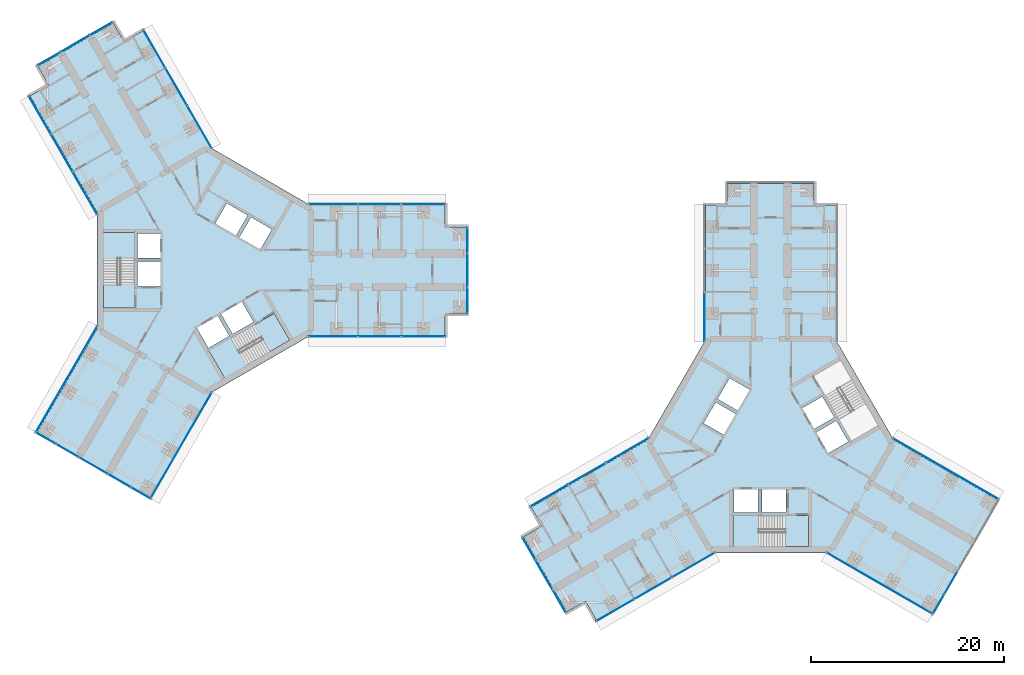
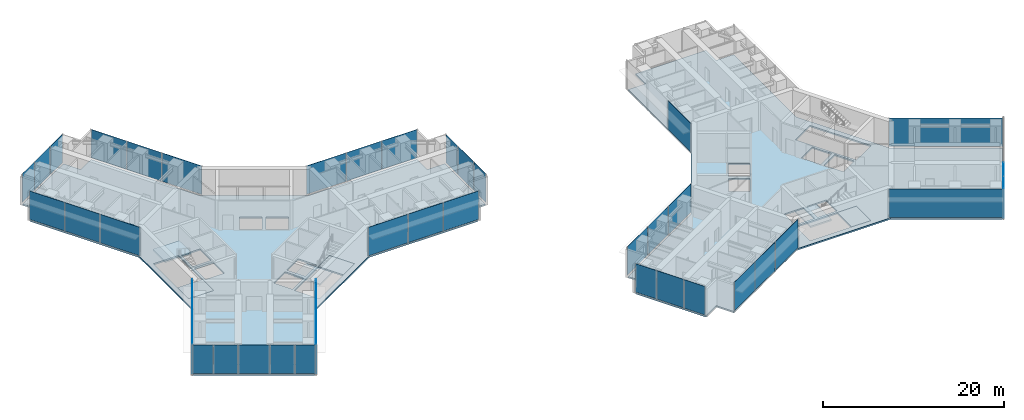
# One storey, part 13 of 22: 39 plates, 8 slabs, 19 elements without a shape of their own.
"""IFC4 building model written with IfcOpenShell, lengths in metres."""

from ifc_helpers import new_model, si_unit, direction, frame, origin, origin_2d, place, context, subcontext, project, spatial, polyline, rectangle, outline, extrude, material, layer, layer_set, type_object, element, aggregate, save


model = new_model("IFC4")

# Units and contexts
model_context = context("Model", 3, precision=1e-05, world=origin(), true_north=direction((0.0, 1.0)))
body_context = subcontext(model_context, "Body", "Model", "MODEL_VIEW")
ifc_project = project(units=[si_unit("LENGTHUNIT", "METRE"), si_unit("AREAUNIT", "SQUARE_METRE"), si_unit("VOLUMEUNIT", "CUBIC_METRE"), si_unit("PLANEANGLEUNIT", "RADIAN"), si_unit("MASSUNIT", "GRAM", prefix="KILO")], contexts=[model_context])

# Site, building, storey
site_placement = place(None, origin())
site = spatial("IfcSite", under=ifc_project, at=site_placement, CompositionType="ELEMENT")
building_placement = place(site_placement, origin())
building = spatial("IfcBuilding", under=site, at=building_placement, Name="Upepo Twin Towers", CompositionType="ELEMENT")
storey_placement = place(building_placement, frame((0.0, 0.0, 137.5)))
storey = spatial("IfcBuildingStorey", under=building, at=storey_placement, Name="L33", CompositionType="ELEMENT", Elevation=137.5)

# Curtain wall, plates
ifc_material_1 = material(Name="Aluminium and fritted glass", Category="aluminium")
curtain_wall_type = type_object("IfcCurtainWallType", Name="Tower curtain wall TW2, fritted glass", PredefinedType="NOTDEFINED", material=ifc_material_1)
curtain_wall_1_placement = place(storey_placement, origin())
curtain_wall_1 = element("IfcCurtainWall", 1, at=curtain_wall_1_placement, inside=storey, type_object=curtain_wall_type, Name="T1 L33 wing A flank L curtain wall", PredefinedType="NOTDEFINED")
ifc_material_2 = material(Name="Ceramic-fritted laminated glass", Category="glass")
ifc_layer_1 = layer(ifc_material_2, 0.031982421875)
ifc_layer_set_1 = layer_set([ifc_layer_1], Name="Fritted glass panel, 40 per cent dot frit, 32 mm double glazed")
plate_type_1 = type_object("IfcPlateType", Name="Fritted glass panel, 40 per cent dot frit, 32 mm double glazed", PredefinedType="CURTAIN_PANEL", material=ifc_layer_set_1)
plate_1_placement = place(storey_placement, frame((13.184814453125, 6.85009765625, 0.14990234375), z_axis=(0.0, 0.0, 1.0), x_axis=(1.0, 0.0, 0.0)))
plate_1 = element("IfcPlate", 2, at=plate_1_placement, type_object=plate_type_1, Name="T1 L33 wing A flank L curtain wall panel 1", PredefinedType="CURTAIN_PANEL", context=body_context, shape_type="SweptSolid", body=[
    extrude(rectangle(XDim=5.0654296875, YDim=0.031982421875, at=origin_2d()), origin(), (0.0, 0.0, 1.0), 3.85009765625),
])
plate_2_placement = place(storey_placement, frame((18.0, 6.85009765625, 0.14990234375), z_axis=(0.0, 0.0, 1.0), x_axis=(1.0, 0.0, 0.0)))
plate_2 = element("IfcPlate", 3, at=plate_2_placement, type_object=plate_type_1, Name="T1 L33 wing A flank L curtain wall panel 2", PredefinedType="CURTAIN_PANEL", context=body_context, shape_type="SweptSolid", body=[
    extrude(rectangle(XDim=4.43505859375, YDim=0.031982421875, at=origin_2d()), origin(), (0.0, 0.0, 1.0), 3.85009765625),
])
plate_3_placement = place(storey_placement, frame((22.53369140625, 6.85009765625, 0.14990234375), z_axis=(0.0, 0.0, 1.0), x_axis=(1.0, 0.0, 0.0)))
plate_3 = element("IfcPlate", 4, at=plate_3_placement, type_object=plate_type_1, Name="T1 L33 wing A flank L curtain wall panel 3", PredefinedType="CURTAIN_PANEL", context=body_context, shape_type="SweptSolid", body=[
    extrude(rectangle(XDim=4.50244140625, YDim=0.031982421875, at=origin_2d()), origin(), (0.0, 0.0, 1.0), 3.85009765625),
])
aggregate(curtain_wall_1, [plate_1, plate_2, plate_3])

curtain_wall_2_placement = place(storey_placement, origin())
curtain_wall_2 = element("IfcCurtainWall", 5, at=curtain_wall_2_placement, inside=storey, type_object=curtain_wall_type, Name="T1 L33 wing A flank R curtain wall", PredefinedType="NOTDEFINED")
plate_4_placement = place(storey_placement, frame((22.53369140625, -6.85009765625, 0.14990234375), z_axis=(0.0, 0.0, 1.0), x_axis=(-1.0, 0.0, 0.0)))
plate_4 = element("IfcPlate", 6, at=plate_4_placement, type_object=plate_type_1, Name="T1 L33 wing A flank R curtain wall panel 1", PredefinedType="CURTAIN_PANEL", context=body_context, shape_type="SweptSolid", body=[
    extrude(rectangle(XDim=4.50244140625, YDim=0.031982421875, at=origin_2d()), origin(), (0.0, 0.0, 1.0), 3.85009765625),
])
plate_5_placement = place(storey_placement, frame((18.0, -6.85009765625, 0.14990234375), z_axis=(0.0, 0.0, 1.0), x_axis=(-1.0, 0.0, 0.0)))
plate_5 = element("IfcPlate", 7, at=plate_5_placement, type_object=plate_type_1, Name="T1 L33 wing A flank R curtain wall panel 2", PredefinedType="CURTAIN_PANEL", context=body_context, shape_type="SweptSolid", body=[
    extrude(rectangle(XDim=4.43505859375, YDim=0.031982421875, at=origin_2d()), origin(), (0.0, 0.0, 1.0), 3.85009765625),
])
plate_6_placement = place(storey_placement, frame((13.184814453125, -6.85009765625, 0.14990234375), z_axis=(0.0, 0.0, 1.0), x_axis=(-1.0, 0.0, 0.0)))
plate_6 = element("IfcPlate", 8, at=plate_6_placement, type_object=plate_type_1, Name="T1 L33 wing A flank R curtain wall panel 3", PredefinedType="CURTAIN_PANEL", context=body_context, shape_type="SweptSolid", body=[
    extrude(rectangle(XDim=5.0654296875, YDim=0.031982421875, at=origin_2d()), origin(), (0.0, 0.0, 1.0), 3.85009765625),
])
aggregate(curtain_wall_2, [plate_4, plate_5, plate_6])

# Curtain wall, plate
curtain_wall_3_placement = place(storey_placement, origin())
curtain_wall_3 = element("IfcCurtainWall", 9, at=curtain_wall_3_placement, inside=storey, type_object=curtain_wall_type, Name="T1 L33 wing A nose curtain wall", PredefinedType="NOTDEFINED")
plate_7_placement = place(storey_placement, frame((27.10009765625, 0.0, 0.14990234375), z_axis=(0.0, 0.0, 1.0), x_axis=(0.0, 1.0, 0.0)))
plate_7 = element("IfcPlate", 10, at=plate_7_placement, type_object=plate_type_1, Name="T1 L33 wing A nose curtain wall panel 2", PredefinedType="CURTAIN_PANEL", context=body_context, shape_type="SweptSolid", body=[
    extrude(rectangle(XDim=3.43505859375, YDim=0.031982421875, at=origin_2d()), origin(), (0.0, 0.0, 1.0), 3.85009765625),
])

# Curtain wall, plates
curtain_wall_4_placement = place(storey_placement, origin())
curtain_wall_4 = element("IfcCurtainWall", 11, at=curtain_wall_4_placement, inside=storey, type_object=curtain_wall_type, Name="T1 L33 wing B flank L curtain wall", PredefinedType="NOTDEFINED")
plate_8_placement = place(storey_placement, frame((-12.524658203125, 7.993408203125, 0.14990234375), z_axis=(0.0, 0.0, 1.0), x_axis=(-0.500000010308, 0.866025397833, 0.0)))
plate_8 = element("IfcPlate", 12, at=plate_8_placement, type_object=plate_type_1, Name="T1 L33 wing B flank L curtain wall panel 1", PredefinedType="CURTAIN_PANEL", context=body_context, shape_type="SweptSolid", body=[
    extrude(rectangle(XDim=5.0654296875, YDim=0.031982421875, at=origin_2d()), origin(), (0.0, 0.0, 1.0), 3.85009765625),
])
plate_9_placement = place(storey_placement, frame((-14.932373046875, 12.16357421875, 0.14990234375), z_axis=(0.0, 0.0, 1.0), x_axis=(-0.500000010308, 0.866025397833, 0.0)))
plate_9 = element("IfcPlate", 13, at=plate_9_placement, type_object=plate_type_1, Name="T1 L33 wing B flank L curtain wall panel 2", PredefinedType="CURTAIN_PANEL", context=body_context, shape_type="SweptSolid", body=[
    extrude(rectangle(XDim=4.43505859375, YDim=0.031982421875, at=origin_2d()), origin(), (0.0, 0.0, 1.0), 3.85009765625),
])
plate_10_placement = place(storey_placement, frame((-17.19921875, 16.08984375, 0.14990234375), z_axis=(0.0, 0.0, 1.0), x_axis=(-0.500000010308, 0.866025397833, 0.0)))
plate_10 = element("IfcPlate", 14, at=plate_10_placement, type_object=plate_type_1, Name="T1 L33 wing B flank L curtain wall panel 3", PredefinedType="CURTAIN_PANEL", context=body_context, shape_type="SweptSolid", body=[
    extrude(rectangle(XDim=4.50244140625, YDim=0.031982421875, at=origin_2d()), origin(), (0.0, 0.0, 1.0), 3.85009765625),
])
aggregate(curtain_wall_4, [plate_8, plate_9, plate_10])

curtain_wall_5_placement = place(storey_placement, origin())
curtain_wall_5 = element("IfcCurtainWall", 15, at=curtain_wall_5_placement, inside=storey, type_object=curtain_wall_type, Name="T1 L33 wing B flank R curtain wall", PredefinedType="NOTDEFINED")
plate_11_placement = place(storey_placement, frame((-5.334716796875, 22.939697265625, 0.14990234375), z_axis=(0.0, 0.0, 1.0), x_axis=(0.500000010308, -0.866025397833, 0.0)))
plate_11 = element("IfcPlate", 16, at=plate_11_placement, type_object=plate_type_1, Name="T1 L33 wing B flank R curtain wall panel 1", PredefinedType="CURTAIN_PANEL", context=body_context, shape_type="SweptSolid", body=[
    extrude(rectangle(XDim=4.50244140625, YDim=0.031982421875, at=origin_2d()), origin(), (0.0, 0.0, 1.0), 3.85009765625),
])
plate_12_placement = place(storey_placement, frame((-3.067626953125, 19.013427734375, 0.14990234375), z_axis=(0.0, 0.0, 1.0), x_axis=(0.500000010308, -0.866025397833, 0.0)))
plate_12 = element("IfcPlate", 17, at=plate_12_placement, type_object=plate_type_1, Name="T1 L33 wing B flank R curtain wall panel 2", PredefinedType="CURTAIN_PANEL", context=body_context, shape_type="SweptSolid", body=[
    extrude(rectangle(XDim=4.43505859375, YDim=0.031982421875, at=origin_2d()), origin(), (0.0, 0.0, 1.0), 3.85009765625),
])
plate_13_placement = place(storey_placement, frame((-0.66015625, 14.84326171875, 0.14990234375), z_axis=(0.0, 0.0, 1.0), x_axis=(0.500000010308, -0.866025397833, 0.0)))
plate_13 = element("IfcPlate", 18, at=plate_13_placement, type_object=plate_type_1, Name="T1 L33 wing B flank R curtain wall panel 3", PredefinedType="CURTAIN_PANEL", context=body_context, shape_type="SweptSolid", body=[
    extrude(rectangle(XDim=5.0654296875, YDim=0.031982421875, at=origin_2d()), origin(), (0.0, 0.0, 1.0), 3.85009765625),
])
aggregate(curtain_wall_5, [plate_11, plate_12, plate_13])

# Curtain wall, plate
curtain_wall_6_placement = place(storey_placement, origin())
curtain_wall_6 = element("IfcCurtainWall", 19, at=curtain_wall_6_placement, inside=storey, type_object=curtain_wall_type, Name="T1 L33 wing B nose curtain wall", PredefinedType="NOTDEFINED")
plate_14_placement = place(storey_placement, frame((-13.550048828125, 23.46923828125, 0.14990234375), z_axis=(0.0, 0.0, 1.0), x_axis=(-0.866025386174, -0.500000030502, 0.0)))
plate_14 = element("IfcPlate", 20, at=plate_14_placement, type_object=plate_type_1, Name="T1 L33 wing B nose curtain wall panel 2", PredefinedType="CURTAIN_PANEL", context=body_context, shape_type="SweptSolid", body=[
    extrude(rectangle(XDim=3.43505859375, YDim=0.031982421875, at=origin_2d()), origin(), (0.0, 0.0, 1.0), 3.85009765625),
])

curtain_wall_7_placement = place(storey_placement, origin())
curtain_wall_7 = element("IfcCurtainWall", 21, at=curtain_wall_7_placement, inside=storey, type_object=curtain_wall_type, Name="T1 L33 wing C flank L curtain wall", PredefinedType="NOTDEFINED")
plate_15_placement = place(storey_placement, frame((-2.552001953125, -18.1201171875, 0.14990234375), z_axis=(0.0, 0.0, 1.0), x_axis=(-0.50000000792, -0.866025399212, 0.0)))
plate_15 = element("IfcPlate", 22, at=plate_15_placement, type_object=plate_type_1, Name="T1 L33 wing C flank L curtain wall panel 1", PredefinedType="CURTAIN_PANEL", context=body_context, shape_type="SweptSolid", body=[
    extrude(rectangle(XDim=12.6328125, YDim=0.031982421875, at=origin_2d()), origin(), (0.0, 0.0, 1.0), 3.85009765625),
])
aggregate(curtain_wall_7, [plate_15])

curtain_wall_8_placement = place(storey_placement, origin())
curtain_wall_8 = element("IfcCurtainWall", 23, at=curtain_wall_8_placement, inside=storey, type_object=curtain_wall_type, Name="T1 L33 wing C flank R curtain wall", PredefinedType="NOTDEFINED")
plate_16_placement = place(storey_placement, frame((-14.41650390625, -11.270263671875, 0.14990234375), z_axis=(0.0, 0.0, 1.0), x_axis=(0.50000000792, 0.866025399212, 0.0)))
plate_16 = element("IfcPlate", 24, at=plate_16_placement, type_object=plate_type_1, Name="T1 L33 wing C flank R curtain wall panel 1", PredefinedType="CURTAIN_PANEL", context=body_context, shape_type="SweptSolid", body=[
    extrude(rectangle(XDim=12.6328125, YDim=0.031982421875, at=origin_2d()), origin(), (0.0, 0.0, 1.0), 3.85009765625),
])
aggregate(curtain_wall_8, [plate_16])

# Curtain wall, plates
curtain_wall_9_placement = place(storey_placement, origin())
curtain_wall_9 = element("IfcCurtainWall", 25, at=curtain_wall_9_placement, inside=storey, type_object=curtain_wall_type, Name="T1 L33 wing C nose curtain wall", PredefinedType="NOTDEFINED")
plate_17_placement = place(storey_placement, frame((-14.38134765625, -18.6591796875, 0.14990234375), z_axis=(0.0, 0.0, 1.0), x_axis=(0.866025419745, -0.499999972355, 0.0)))
plate_17 = element("IfcPlate", 26, at=plate_17_placement, type_object=plate_type_1, Name="T1 L33 wing C nose curtain wall panel 2", PredefinedType="CURTAIN_PANEL", context=body_context, shape_type="SweptSolid", body=[
    extrude(rectangle(XDim=2.68505859375, YDim=0.031982421875, at=origin_2d()), origin(), (0.0, 0.0, 1.0), 3.85009765625),
])
plate_18_placement = place(storey_placement, frame((-11.675048828125, -20.2216796875, 0.14990234375), z_axis=(0.0, 0.0, 1.0), x_axis=(0.866025419745, -0.499999972355, 0.0)))
plate_18 = element("IfcPlate", 27, at=plate_18_placement, type_object=plate_type_1, Name="T1 L33 wing C nose curtain wall panel 3", PredefinedType="CURTAIN_PANEL", context=body_context, shape_type="SweptSolid", body=[
    extrude(rectangle(XDim=3.43505859375, YDim=0.031982421875, at=origin_2d()), origin(), (0.0, 0.0, 1.0), 3.85009765625),
])
plate_19_placement = place(storey_placement, frame((-8.96875, -21.7841796875, 0.14990234375), z_axis=(0.0, 0.0, 1.0), x_axis=(0.866025419745, -0.499999972355, 0.0)))
plate_19 = element("IfcPlate", 28, at=plate_19_placement, type_object=plate_type_1, Name="T1 L33 wing C nose curtain wall panel 4", PredefinedType="CURTAIN_PANEL", context=body_context, shape_type="SweptSolid", body=[
    extrude(rectangle(XDim=2.68505859375, YDim=0.031982421875, at=origin_2d()), origin(), (0.0, 0.0, 1.0), 3.85009765625),
])

# Curtain wall, plate
curtain_wall_10_placement = place(storey_placement, origin())
curtain_wall_10 = element("IfcCurtainWall", 29, at=curtain_wall_10_placement, inside=storey, type_object=curtain_wall_type, Name="T2 L33 wing A flank L curtain wall", PredefinedType="NOTDEFINED")
plate_20_placement = place(storey_placement, frame((51.64990234375, -4.815185546875, 0.14990234375), z_axis=(0.0, 0.0, 1.0), x_axis=(0.0, 1.0, 0.0)))
plate_20 = element("IfcPlate", 30, at=plate_20_placement, type_object=plate_type_1, Name="T2 L33 wing A flank L curtain wall panel 1", PredefinedType="CURTAIN_PANEL", context=body_context, shape_type="SweptSolid", body=[
    extrude(rectangle(XDim=5.0654296875, YDim=0.031982421875, at=origin_2d()), origin(), (0.0, 0.0, 1.0), 3.85009765625),
])
aggregate(curtain_wall_10, [plate_20])

# Curtain wall, plates
curtain_wall_11_placement = place(storey_placement, origin())
curtain_wall_11 = element("IfcCurtainWall", 31, at=curtain_wall_11_placement, inside=storey, type_object=curtain_wall_type, Name="T2 L33 wing B flank L curtain wall", PredefinedType="NOTDEFINED")
plate_21_placement = place(storey_placement, frame((50.506591796875, -30.524658203125, 0.14990234375), z_axis=(0.0, 0.0, 1.0), x_axis=(-0.866025397833, -0.500000010308, 0.0)))
plate_21 = element("IfcPlate", 32, at=plate_21_placement, type_object=plate_type_1, Name="T2 L33 wing B flank L curtain wall panel 1", PredefinedType="CURTAIN_PANEL", context=body_context, shape_type="SweptSolid", body=[
    extrude(rectangle(XDim=5.0654296875, YDim=0.031982421875, at=origin_2d()), origin(), (0.0, 0.0, 1.0), 3.85009765625),
])
plate_22_placement = place(storey_placement, frame((46.33642578125, -32.932373046875, 0.14990234375), z_axis=(0.0, 0.0, 1.0), x_axis=(-0.866025397833, -0.500000010308, 0.0)))
plate_22 = element("IfcPlate", 33, at=plate_22_placement, type_object=plate_type_1, Name="T2 L33 wing B flank L curtain wall panel 2", PredefinedType="CURTAIN_PANEL", context=body_context, shape_type="SweptSolid", body=[
    extrude(rectangle(XDim=4.43505859375, YDim=0.031982421875, at=origin_2d()), origin(), (0.0, 0.0, 1.0), 3.85009765625),
])
plate_23_placement = place(storey_placement, frame((42.41015625, -35.19921875, 0.14990234375), z_axis=(0.0, 0.0, 1.0), x_axis=(-0.866025397833, -0.500000010308, 0.0)))
plate_23 = element("IfcPlate", 34, at=plate_23_placement, type_object=plate_type_1, Name="T2 L33 wing B flank L curtain wall panel 3", PredefinedType="CURTAIN_PANEL", context=body_context, shape_type="SweptSolid", body=[
    extrude(rectangle(XDim=4.50244140625, YDim=0.031982421875, at=origin_2d()), origin(), (0.0, 0.0, 1.0), 3.85009765625),
])
aggregate(curtain_wall_11, [plate_21, plate_22, plate_23])

curtain_wall_12_placement = place(storey_placement, origin())
curtain_wall_12 = element("IfcCurtainWall", 35, at=curtain_wall_12_placement, inside=storey, type_object=curtain_wall_type, Name="T2 L33 wing B flank R curtain wall", PredefinedType="NOTDEFINED")
plate_24_placement = place(storey_placement, frame((35.560302734375, -23.334716796875, 0.14990234375), z_axis=(0.0, 0.0, 1.0), x_axis=(0.866025397833, 0.500000010308, 0.0)))
plate_24 = element("IfcPlate", 36, at=plate_24_placement, type_object=plate_type_1, Name="T2 L33 wing B flank R curtain wall panel 1", PredefinedType="CURTAIN_PANEL", context=body_context, shape_type="SweptSolid", body=[
    extrude(rectangle(XDim=4.50244140625, YDim=0.031982421875, at=origin_2d()), origin(), (0.0, 0.0, 1.0), 3.85009765625),
])
plate_25_placement = place(storey_placement, frame((39.486572265625, -21.067626953125, 0.14990234375), z_axis=(0.0, 0.0, 1.0), x_axis=(0.866025397833, 0.500000010308, 0.0)))
plate_25 = element("IfcPlate", 37, at=plate_25_placement, type_object=plate_type_1, Name="T2 L33 wing B flank R curtain wall panel 2", PredefinedType="CURTAIN_PANEL", context=body_context, shape_type="SweptSolid", body=[
    extrude(rectangle(XDim=4.43505859375, YDim=0.031982421875, at=origin_2d()), origin(), (0.0, 0.0, 1.0), 3.85009765625),
])
plate_26_placement = place(storey_placement, frame((43.65673828125, -18.66015625, 0.14990234375), z_axis=(0.0, 0.0, 1.0), x_axis=(0.866025397833, 0.500000010308, 0.0)))
plate_26 = element("IfcPlate", 38, at=plate_26_placement, type_object=plate_type_1, Name="T2 L33 wing B flank R curtain wall panel 3", PredefinedType="CURTAIN_PANEL", context=body_context, shape_type="SweptSolid", body=[
    extrude(rectangle(XDim=5.0654296875, YDim=0.031982421875, at=origin_2d()), origin(), (0.0, 0.0, 1.0), 3.85009765625),
])
aggregate(curtain_wall_12, [plate_24, plate_25, plate_26])

# Curtain wall, plate
curtain_wall_13_placement = place(storey_placement, origin())
curtain_wall_13 = element("IfcCurtainWall", 39, at=curtain_wall_13_placement, inside=storey, type_object=curtain_wall_type, Name="T2 L33 wing B nose curtain wall", PredefinedType="NOTDEFINED")
plate_27_placement = place(storey_placement, frame((35.03076171875, -31.550048828125, 0.14990234375), z_axis=(0.0, 0.0, 1.0), x_axis=(0.500000030502, -0.866025386174, 0.0)))
plate_27 = element("IfcPlate", 40, at=plate_27_placement, type_object=plate_type_1, Name="T2 L33 wing B nose curtain wall panel 2", PredefinedType="CURTAIN_PANEL", context=body_context, shape_type="SweptSolid", body=[
    extrude(rectangle(XDim=3.43505859375, YDim=0.031982421875, at=origin_2d()), origin(), (0.0, 0.0, 1.0), 3.85009765625),
])

curtain_wall_14_placement = place(storey_placement, origin())
curtain_wall_14 = element("IfcCurtainWall", 41, at=curtain_wall_14_placement, inside=storey, type_object=curtain_wall_type, Name="T2 L33 wing C flank L curtain wall", PredefinedType="NOTDEFINED")
plate_28_placement = place(storey_placement, frame((76.6201171875, -20.552001953125, 0.14990234375), z_axis=(0.0, 0.0, 1.0), x_axis=(0.866025399212, -0.50000000792, 0.0)))
plate_28 = element("IfcPlate", 42, at=plate_28_placement, type_object=plate_type_1, Name="T2 L33 wing C flank L curtain wall panel 1", PredefinedType="CURTAIN_PANEL", context=body_context, shape_type="SweptSolid", body=[
    extrude(rectangle(XDim=12.6328125, YDim=0.031982421875, at=origin_2d()), origin(), (0.0, 0.0, 1.0), 3.85009765625),
])
aggregate(curtain_wall_14, [plate_28])

curtain_wall_15_placement = place(storey_placement, origin())
curtain_wall_15 = element("IfcCurtainWall", 43, at=curtain_wall_15_placement, inside=storey, type_object=curtain_wall_type, Name="T2 L33 wing C flank R curtain wall", PredefinedType="NOTDEFINED")
plate_29_placement = place(storey_placement, frame((69.770263671875, -32.41650390625, 0.14990234375), z_axis=(0.0, 0.0, 1.0), x_axis=(-0.866025399212, 0.50000000792, 0.0)))
plate_29 = element("IfcPlate", 44, at=plate_29_placement, type_object=plate_type_1, Name="T2 L33 wing C flank R curtain wall panel 1", PredefinedType="CURTAIN_PANEL", context=body_context, shape_type="SweptSolid", body=[
    extrude(rectangle(XDim=12.6328125, YDim=0.031982421875, at=origin_2d()), origin(), (0.0, 0.0, 1.0), 3.85009765625),
])
aggregate(curtain_wall_15, [plate_29])

curtain_wall_16_placement = place(storey_placement, origin())
curtain_wall_16 = element("IfcCurtainWall", 45, at=curtain_wall_16_placement, inside=storey, type_object=curtain_wall_type, Name="T2 L33 wing C nose curtain wall", PredefinedType="NOTDEFINED")
plate_30_placement = place(storey_placement, frame((77.1591796875, -32.38134765625, 0.14990234375), z_axis=(0.0, 0.0, 1.0), x_axis=(0.499999972355, 0.866025419745, 0.0)))
plate_30 = element("IfcPlate", 46, at=plate_30_placement, type_object=plate_type_1, Name="T2 L33 wing C nose curtain wall panel 2", PredefinedType="CURTAIN_PANEL", context=body_context, shape_type="SweptSolid", body=[
    extrude(rectangle(XDim=2.68505859375, YDim=0.031982421875, at=origin_2d()), origin(), (0.0, 0.0, 1.0), 3.85009765625),
])

# Plate
ifc_material_3 = material(Name="Clear laminated glass in opening sash", Category="glass")
ifc_layer_2 = layer(ifc_material_3, 0.031982421875)
ifc_layer_set_2 = layer_set([ifc_layer_2], Name="Operable glass panel, 32 mm double glazed")
plate_type_2 = type_object("IfcPlateType", Name="Operable glass panel, 32 mm double glazed", PredefinedType="CURTAIN_PANEL", material=ifc_layer_set_2)
plate_31_placement = place(storey_placement, frame((27.10009765625, -3.108642578125, 0.14990234375), z_axis=(0.0, 0.0, 1.0), x_axis=(0.0, 1.0, 0.0)))
plate_31 = element("IfcPlate", 47, at=plate_31_placement, type_object=plate_type_2, Name="T1 L33 wing A nose curtain wall panel 1", PredefinedType="CURTAIN_PANEL", context=body_context, shape_type="SweptSolid", body=[
    extrude(rectangle(XDim=2.652587890625, YDim=0.031982421875, at=origin_2d()), origin(), (0.0, 0.0, 1.0), 3.85009765625),
])

plate_32_placement = place(storey_placement, frame((27.10009765625, 3.108642578125, 0.14990234375), z_axis=(0.0, 0.0, 1.0), x_axis=(0.0, 1.0, 0.0)))
plate_32 = element("IfcPlate", 48, at=plate_32_placement, type_object=plate_type_2, Name="T1 L33 wing A nose curtain wall panel 3", PredefinedType="CURTAIN_PANEL", context=body_context, shape_type="SweptSolid", body=[
    extrude(rectangle(XDim=2.652587890625, YDim=0.031982421875, at=origin_2d()), origin(), (0.0, 0.0, 1.0), 3.85009765625),
])

aggregate(curtain_wall_3, [plate_31, plate_7, plate_32])

plate_33_placement = place(storey_placement, frame((-10.857666015625, 25.023681640625, 0.14990234375), z_axis=(0.0, 0.0, 1.0), x_axis=(-0.866025386174, -0.500000030502, 0.0)))
plate_33 = element("IfcPlate", 49, at=plate_33_placement, type_object=plate_type_2, Name="T1 L33 wing B nose curtain wall panel 1", PredefinedType="CURTAIN_PANEL", context=body_context, shape_type="SweptSolid", body=[
    extrude(rectangle(XDim=2.652587890625, YDim=0.031982421875, at=origin_2d()), origin(), (0.0, 0.0, 1.0), 3.85009765625),
])

plate_34_placement = place(storey_placement, frame((-16.2421875, 21.914794921875, 0.14990234375), z_axis=(0.0, 0.0, 1.0), x_axis=(-0.866025386174, -0.500000030502, 0.0)))
plate_34 = element("IfcPlate", 50, at=plate_34_placement, type_object=plate_type_2, Name="T1 L33 wing B nose curtain wall panel 3", PredefinedType="CURTAIN_PANEL", context=body_context, shape_type="SweptSolid", body=[
    extrude(rectangle(XDim=2.652587890625, YDim=0.031982421875, at=origin_2d()), origin(), (0.0, 0.0, 1.0), 3.85009765625),
])

aggregate(curtain_wall_6, [plate_33, plate_14, plate_34])

plate_35_placement = place(storey_placement, frame((-16.618896484375, -17.367431640625, 0.14990234375), z_axis=(0.0, 0.0, 1.0), x_axis=(0.866025419745, -0.499999972355, 0.0)))
plate_35 = element("IfcPlate", 51, at=plate_35_placement, type_object=plate_type_2, Name="T1 L33 wing C nose curtain wall panel 1", PredefinedType="CURTAIN_PANEL", context=body_context, shape_type="SweptSolid", body=[
    extrude(rectangle(XDim=2.3525390625, YDim=0.031982421875, at=origin_2d()), origin(), (0.0, 0.0, 1.0), 3.85009765625),
])

plate_36_placement = place(storey_placement, frame((-6.73095703125, -23.076171875, 0.14990234375), z_axis=(0.0, 0.0, 1.0), x_axis=(0.866025419745, -0.499999972355, 0.0)))
plate_36 = element("IfcPlate", 52, at=plate_36_placement, type_object=plate_type_2, Name="T1 L33 wing C nose curtain wall panel 5", PredefinedType="CURTAIN_PANEL", context=body_context, shape_type="SweptSolid", body=[
    extrude(rectangle(XDim=2.3525390625, YDim=0.031982421875, at=origin_2d()), origin(), (0.0, 0.0, 1.0), 3.85009765625),
])

aggregate(curtain_wall_9, [plate_35, plate_17, plate_18, plate_19, plate_36])

plate_37_placement = place(storey_placement, frame((33.476318359375, -28.857666015625, 0.14990234375), z_axis=(0.0, 0.0, 1.0), x_axis=(0.500000030502, -0.866025386174, 0.0)))
plate_37 = element("IfcPlate", 53, at=plate_37_placement, type_object=plate_type_2, Name="T2 L33 wing B nose curtain wall panel 1", PredefinedType="CURTAIN_PANEL", context=body_context, shape_type="SweptSolid", body=[
    extrude(rectangle(XDim=2.652587890625, YDim=0.031982421875, at=origin_2d()), origin(), (0.0, 0.0, 1.0), 3.85009765625),
])

plate_38_placement = place(storey_placement, frame((36.585205078125, -34.2421875, 0.14990234375), z_axis=(0.0, 0.0, 1.0), x_axis=(0.500000030502, -0.866025386174, 0.0)))
plate_38 = element("IfcPlate", 54, at=plate_38_placement, type_object=plate_type_2, Name="T2 L33 wing B nose curtain wall panel 3", PredefinedType="CURTAIN_PANEL", context=body_context, shape_type="SweptSolid", body=[
    extrude(rectangle(XDim=2.652587890625, YDim=0.031982421875, at=origin_2d()), origin(), (0.0, 0.0, 1.0), 3.85009765625),
])

aggregate(curtain_wall_13, [plate_37, plate_27, plate_38])

plate_39_placement = place(storey_placement, frame((75.867431640625, -34.618896484375, 0.14990234375), z_axis=(0.0, 0.0, 1.0), x_axis=(0.499999972355, 0.866025419745, 0.0)))
plate_39 = element("IfcPlate", 55, at=plate_39_placement, type_object=plate_type_2, Name="T2 L33 wing C nose curtain wall panel 1", PredefinedType="CURTAIN_PANEL", context=body_context, shape_type="SweptSolid", body=[
    extrude(rectangle(XDim=2.3525390625, YDim=0.031982421875, at=origin_2d()), origin(), (0.0, 0.0, 1.0), 3.85009765625),
])

aggregate(curtain_wall_16, [plate_39, plate_30])

# Stair, slabs
ifc_material_4 = material(Name="Concrete C40/50", Category="concrete")
stair_type = type_object("IfcStairType", Name="Core stair, two flights", PredefinedType="HALF_TURN_STAIR", material=ifc_material_4)
stair_1_placement = place(storey_placement, origin())
stair_1 = element("IfcStair", 56, at=stair_1_placement, inside=storey, type_object=stair_type, Name="T1 stair S1 L33", PredefinedType="HALF_TURN_STAIR")
ifc_material_5 = material(Name="Concrete C40/50", Category="concrete")
ifc_layer_3 = layer(ifc_material_5, 0.199951171875)
ifc_layer_set_3 = layer_set([ifc_layer_3], Name="Concrete C40/50")
slab_type_1 = type_object("IfcSlabType", Name="Stair landing 200 RC", PredefinedType="LANDING", material=ifc_layer_set_3)
slab_1_placement = place(storey_placement, frame((0.0, 0.0, -0.199951171875)))
slab_1 = element("IfcSlab", 57, at=slab_1_placement, type_object=slab_type_1, Name="Stair S1 landing 1", PredefinedType="LANDING", context=body_context, shape_type="SweptSolid", body=[
    extrude(outline(polyline([(-7.39990234375, -1.419921875), (-10.6083984375, -1.419921875), (-10.6083984375, -3.89990234375), (-7.39990234375, -3.89990234375), (-7.39990234375, -1.419921875)])), origin(), (0.0, 0.0, 1.0), 0.199951171875),
])
slab_2_placement = place(storey_placement, frame((0.0, 0.0, 1.800048828125)))
slab_2 = element("IfcSlab", 58, at=slab_2_placement, type_object=slab_type_1, Name="Stair S1 landing 2", PredefinedType="LANDING", context=body_context, shape_type="SweptSolid", body=[
    extrude(outline(polyline([(-7.300048828125, 3.89990234375), (-10.708251953125, 3.89990234375), (-10.708251953125, 1.179931640625), (-7.300048828125, 1.179931640625), (-7.300048828125, 3.89990234375)])), origin(), (0.0, 0.0, 1.0), 0.199951171875),
])
aggregate(stair_1, [slab_1, slab_2])

stair_2_placement = place(storey_placement, origin())
stair_2 = element("IfcStair", 59, at=stair_2_placement, inside=storey, type_object=stair_type, Name="T1 stair S2 L33", PredefinedType="HALF_TURN_STAIR")
slab_3_placement = place(storey_placement, frame((0.0, 0.0, -0.199951171875)))
slab_3 = element("IfcSlab", 60, at=slab_3_placement, type_object=slab_type_1, Name="Stair S2 landing 1", PredefinedType="LANDING", context=body_context, shape_type="SweptSolid", body=[
    extrude(outline(polyline([(4.9296875, -5.698486328125), (6.533935546875, -8.47705078125), (8.681640625, -7.237060546875), (7.077392578125, -4.45849609375), (4.9296875, -5.698486328125)])), origin(), (0.0, 0.0, 1.0), 0.199951171875),
])
slab_4_placement = place(storey_placement, frame((0.0, 0.0, 1.800048828125)))
slab_4 = element("IfcSlab", 61, at=slab_4_placement, type_object=slab_type_1, Name="Stair S2 landing 2", PredefinedType="LANDING", context=body_context, shape_type="SweptSolid", body=[
    extrude(outline(polyline([(0.2724609375, -8.27197265625), (1.9765625, -11.2236328125), (4.332275390625, -9.86376953125), (2.628173828125, -6.911865234375), (0.2724609375, -8.27197265625)])), origin(), (0.0, 0.0, 1.0), 0.199951171875),
])
aggregate(stair_2, [slab_3, slab_4])

stair_3_placement = place(storey_placement, origin())
stair_3 = element("IfcStair", 62, at=stair_3_placement, inside=storey, type_object=stair_type, Name="T2 stair S1 L33", PredefinedType="HALF_TURN_STAIR")
slab_5_placement = place(storey_placement, frame((0.0, 0.0, -0.199951171875)))
slab_5 = element("IfcSlab", 63, at=slab_5_placement, type_object=slab_type_1, Name="Stair S1 landing 1", PredefinedType="LANDING", context=body_context, shape_type="SweptSolid", body=[
    extrude(outline(polyline([(59.919921875, -25.39990234375), (59.919921875, -28.6083984375), (62.39990234375, -28.6083984375), (62.39990234375, -25.39990234375), (59.919921875, -25.39990234375)])), origin(), (0.0, 0.0, 1.0), 0.199951171875),
])
slab_6_placement = place(storey_placement, frame((0.0, 0.0, 1.800048828125)))
slab_6 = element("IfcSlab", 64, at=slab_6_placement, type_object=slab_type_1, Name="Stair S1 landing 2", PredefinedType="LANDING", context=body_context, shape_type="SweptSolid", body=[
    extrude(outline(polyline([(54.60009765625, -25.300048828125), (54.60009765625, -28.708251953125), (57.320068359375, -28.708251953125), (57.320068359375, -25.300048828125), (54.60009765625, -25.300048828125)])), origin(), (0.0, 0.0, 1.0), 0.199951171875),
])
aggregate(stair_3, [slab_5, slab_6])

# Slabs
ifc_material_6 = material(Name="Concrete C40/50", Category="concrete")
ifc_layer_4 = layer(ifc_material_6, 0.199951171875)
ifc_layer_set_4 = layer_set([ifc_layer_4], Name="Concrete C40/50")
slab_type_2 = type_object("IfcSlabType", Name="Tower floor slab 200 RC", PredefinedType="FLOOR", material=ifc_layer_set_4)
slab_7_placement = place(storey_placement, frame((0.0, 0.0, -0.199951171875)))
element("IfcSlab", 65, at=slab_7_placement, inside=storey, type_object=slab_type_2, Name="T1 L33 floor slab", PredefinedType="FLOOR", context=body_context, shape_type="SweptSolid", body=[
    extrude(outline(polyline([(-17.470703125, -16.760009765625), (-11.25830078125, -6.0), (-11.25830078125, 6.0), (-18.220703125, 18.05908203125), (-16.272216796875, 19.18408203125), (-17.397216796875, 21.132568359375), (-9.602783203125, 25.632568359375), (-8.477783203125, 23.68408203125), (-6.529296875, 24.80908203125), (0.43310546875, 12.75), (10.825439453125, 6.75), (24.75, 6.75), (24.75, 4.5), (27.0, 4.5), (27.0, -4.5), (24.75, -4.5), (24.75, -6.75), (10.825439453125, -6.75), (0.43310546875, -12.75), (-5.779296875, -23.510009765625), (-17.470703125, -16.760009765625)]), holes=[polyline([(5.640869140625, 2.17041015625), (6.8408203125, 4.248779296875), (4.67578125, 5.498779296875), (3.475830078125, 3.42041015625), (5.640869140625, 2.17041015625)]), polyline([(3.12939453125, 3.620361328125), (4.329345703125, 5.69873046875), (2.164306640625, 6.94873046875), (0.96435546875, 4.870361328125), (3.12939453125, 3.620361328125)]), polyline([(-4.699951171875, 3.800048828125), (-7.10009765625, 3.800048828125), (-7.10009765625, 1.300048828125), (-4.699951171875, 1.300048828125), (-4.699951171875, 3.800048828125)]), polyline([(-4.699951171875, 0.89990234375), (-7.10009765625, 0.89990234375), (-7.10009765625, -1.60009765625), (-4.699951171875, -1.60009765625), (-4.699951171875, 0.89990234375)]), polyline([(-7.39990234375, 3.89990234375), (-10.6083984375, 3.89990234375), (-10.6083984375, -3.89990234375), (-7.39990234375, -3.89990234375), (-7.39990234375, 3.89990234375)]), polyline([(-0.94091796875, -5.97021484375), (0.259033203125, -8.048828125), (2.424072265625, -6.798828125), (1.22412109375, -4.72021484375), (-0.94091796875, -5.97021484375)]), polyline([(1.570556640625, -4.520263671875), (2.7705078125, -6.598876953125), (4.935546875, -5.348876953125), (3.735595703125, -3.270263671875), (1.570556640625, -4.520263671875)]), polyline([(0.322509765625, -8.358642578125), (1.9267578125, -11.136962890625), (8.681640625, -7.237060546875), (7.077392578125, -4.45849609375), (0.322509765625, -8.358642578125)])]), origin(), (0.0, 0.0, 1.0), 0.199951171875),
])
slab_8_placement = place(storey_placement, frame((0.0, 0.0, -0.199951171875)))
element("IfcSlab", 66, at=slab_8_placement, inside=storey, type_object=slab_type_2, Name="T2 L33 floor slab", PredefinedType="FLOOR", context=body_context, shape_type="SweptSolid", body=[
    extrude(outline(polyline([(75.260009765625, -35.470703125), (64.5, -29.25830078125), (52.5, -29.25830078125), (40.44091796875, -36.220703125), (39.31591796875, -34.272216796875), (37.367431640625, -35.397216796875), (32.867431640625, -27.602783203125), (34.81591796875, -26.477783203125), (33.69091796875, -24.529296875), (45.75, -17.56689453125), (51.75, -7.174560546875), (51.75, 6.75), (54.0, 6.75), (54.0, 9.0), (63.0, 9.0), (63.0, 6.75), (65.25, 6.75), (65.25, -7.174560546875), (71.25, -17.56689453125), (82.010009765625, -23.779296875), (75.260009765625, -35.470703125)]), holes=[polyline([(56.32958984375, -12.359130859375), (54.251220703125, -11.1591796875), (53.001220703125, -13.32421875), (55.07958984375, -14.524169921875), (56.32958984375, -12.359130859375)]), polyline([(54.879638671875, -14.87060546875), (52.80126953125, -13.670654296875), (51.55126953125, -15.835693359375), (53.629638671875, -17.03564453125), (54.879638671875, -14.87060546875)]), polyline([(54.699951171875, -22.699951171875), (54.699951171875, -25.10009765625), (57.199951171875, -25.10009765625), (57.199951171875, -22.699951171875), (54.699951171875, -22.699951171875)]), polyline([(57.60009765625, -22.699951171875), (57.60009765625, -25.10009765625), (60.10009765625, -25.10009765625), (60.10009765625, -22.699951171875), (57.60009765625, -22.699951171875)]), polyline([(54.60009765625, -25.39990234375), (54.60009765625, -28.6083984375), (62.39990234375, -28.6083984375), (62.39990234375, -25.39990234375), (54.60009765625, -25.39990234375)]), polyline([(64.47021484375, -18.94091796875), (66.548828125, -17.740966796875), (65.298828125, -15.575927734375), (63.22021484375, -16.77587890625), (64.47021484375, -18.94091796875)]), polyline([(63.020263671875, -16.429443359375), (65.098876953125, -15.2294921875), (63.848876953125, -13.064453125), (61.770263671875, -14.264404296875), (63.020263671875, -16.429443359375)]), polyline([(66.858642578125, -17.677490234375), (69.636962890625, -16.0732421875), (65.737060546875, -9.318359375), (62.95849609375, -10.922607421875), (66.858642578125, -17.677490234375)])]), origin(), (0.0, 0.0, 1.0), 0.199951171875),
])

save(model, "model.ifc")
